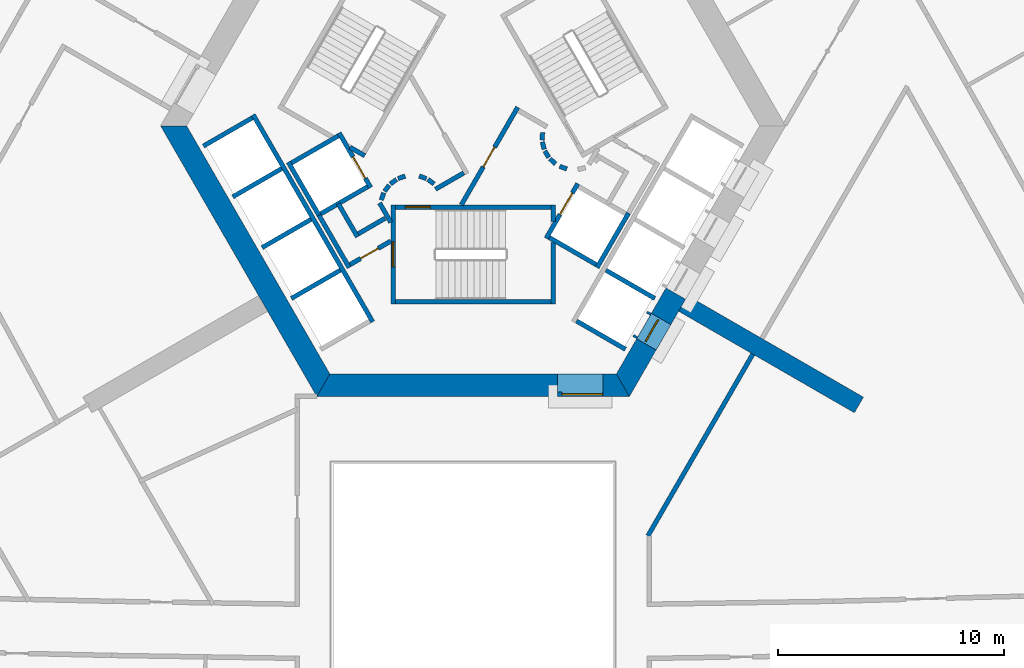
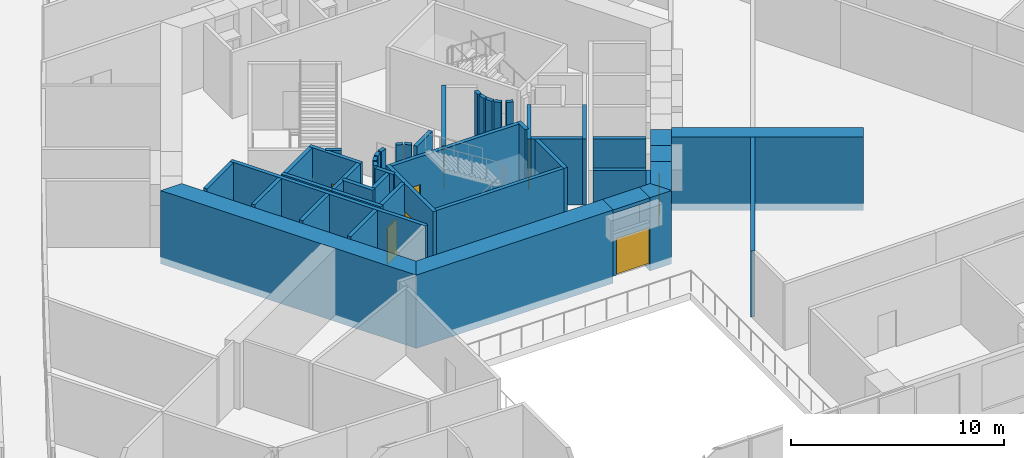
# One storey, part 6 of 16: 49 walls, 8 doors, 8 openings.
"""IFC4 building model written with IfcOpenShell, lengths in metres."""

from ifc_helpers import new_model, si_unit, direction, frame, frame_2d, origin, place, context, subcontext, project, spatial, polyline, rectangle, outline, extrude, material, layer, layer_set, type_object, element, fill, save


model = new_model("IFC4")

# Units and contexts
model_context = context("Model", 3, precision=1e-05, world=origin(), true_north=direction((0.0, 1.0)))
body_context = subcontext(model_context, "Body", "Model", "MODEL_VIEW")
ifc_project = project(units=[si_unit("LENGTHUNIT", "METRE"), si_unit("AREAUNIT", "SQUARE_METRE"), si_unit("VOLUMEUNIT", "CUBIC_METRE"), si_unit("PLANEANGLEUNIT", "RADIAN"), si_unit("MASSUNIT", "GRAM", prefix="KILO")], contexts=[model_context])

# Site, building, storey
site_placement = place(None, origin())
site = spatial("IfcSite", under=ifc_project, at=site_placement, CompositionType="ELEMENT")
building_placement = place(site_placement, origin())
building = spatial("IfcBuilding", under=site, at=building_placement, Name="Entoto Arch Interchange Tower", CompositionType="ELEMENT")
storey_placement = place(building_placement, frame((0.0, 0.0, 47.60009765625)))
storey = spatial("IfcBuildingStorey", under=building, at=storey_placement, Name="L09", CompositionType="ELEMENT", Elevation=47.60009765625)

# Wall
ifc_material_1 = material(Name="Concrete C60/75", Category="concrete")
ifc_layer_1 = layer(ifc_material_1, 0.800048828125)
ifc_layer_set_1 = layer_set([ifc_layer_1], Name="Concrete C60/75")
wall_type_1 = type_object("IfcWallType", Name="Buttress wall 800 C60/75", PredefinedType="SHEAR", material=ifc_layer_set_1)
wall_1_placement = place(storey_placement, frame((9.31005859375, -5.375, -0.400146484375), z_axis=(0.0, 0.0, 1.0), x_axis=(0.866017533419, -0.500013631625, 0.0)))
element("IfcWall", 1, at=wall_1_placement, inside=storey, type_object=wall_type_1, Name="Buttress wall SE L09", PredefinedType="SHEAR", context=body_context, shape_type="SweptSolid", body=[
    extrude(rectangle(XDim=8.999755859375, YDim=0.800048828125, at=frame_2d((4.5, 0.0))), origin(), (0.0, 0.0, 1.0), 4.199951171875),
])

# Wall, opening, door
ifc_material_2 = material(Name="Reinforced concrete C40/50", Category="concrete")
ifc_layer_2 = layer(ifc_material_2, 0.199951171875)
ifc_layer_set_2 = layer_set([ifc_layer_2], Name="Reinforced concrete C40/50")
wall_type_2 = type_object("IfcWallType", Name="CORE GAP INFILL WALL", PredefinedType="PARTITIONING", material=ifc_layer_set_2)
wall_2_placement = place(storey_placement, frame((3.75, -9.39990234375, 0.0), z_axis=(0.0, 0.0, 1.0), x_axis=(1.0, 0.0, 0.0)))
wall_2 = element("IfcWall", 2, at=wall_2_placement, inside=storey, type_object=wall_type_2, Name="wall:L09:gap1", PredefinedType="PARTITIONING", context=body_context, shape_type="SweptSolid", body=[
    extrude(rectangle(XDim=2.0, YDim=0.199951171875, at=frame_2d((1.0, 0.0))), origin(), (0.0, 0.0, 1.0), 2.39990234375),
])
opening_1_placement = place(wall_2_placement, frame((0.18994140625, 0.0, 0.0)))
opening_1 = element("IfcOpeningElement", 3, at=opening_1_placement, cuts=wall_2, Name="Opening L09-D91", PredefinedType="OPENING", context=body_context, shape_type="SweptSolid", body=[
    extrude(rectangle(XDim=1.800048828125, YDim=2.10009765625, at=frame_2d((0.89990234375, 1.050048828125))), frame((0.0, 0.10986328125, 0.0), z_axis=(0.0, -1.0, 0.0), x_axis=(1.0, 0.0, 0.0)), (0.0, 0.0, 1.0), 0.219970703125),
])
ifc_material_3 = material(Name="Fire-rated Steel S235 door and frame", Category="steel")
door_type_1 = type_object("IfcDoorType", Name="DOOR FD-18 1800x2100", OperationType="DOUBLE_DOOR_SINGLE_SWING", PredefinedType="DOOR", material=ifc_material_3)
door_1_placement = place(opening_1_placement, origin())
door_1 = element("IfcDoor", 4, at=door_1_placement, inside=storey, type_object=door_type_1, Name="door:L09:gap1", OperationType="DOUBLE_DOOR_SINGLE_SWING", OverallHeight=2.10009765625, OverallWidth=1.800048828125, PredefinedType="DOOR", context=body_context, shape_type="SweptSolid", body=[
    extrude(rectangle(XDim=1.800048828125, YDim=2.10009765625, at=frame_2d((0.89990234375, 1.050048828125))), frame((0.0, 0.02490234375, 0.0), z_axis=(0.0, -1.0, 0.0), x_axis=(1.0, 0.0, 0.0)), (0.0, 0.0, 1.0), 0.050048828125),
])
fill(opening_1, door_1)

# Walls
ifc_layer_3 = layer(ifc_material_1, 1.0)
ifc_layer_set_3 = layer_set([ifc_layer_3], Name="Concrete C60/75")
wall_type_3 = type_object("IfcWallType", Name="Core wall 1000 C60/75", PredefinedType="SHEAR", material=ifc_layer_set_3)
wall_3_placement = place(storey_placement, frame((0.0, 0.0, -0.400146484375)))
element("IfcWall", 5, at=wall_3_placement, inside=storey, type_object=wall_type_3, Name="Core wall SW L09", PredefinedType="SHEAR", context=body_context, shape_type="SweptSolid", body=[
    extrude(outline(polyline([(-13.85595703125, 2.5), (-6.927978515625, -9.5), (-6.35107421875, -8.5), (-12.701904296875, 2.5), (-13.85595703125, 2.5)])), origin(), (0.0, 0.0, 1.0), 4.199951171875),
])
wall_4_placement = place(storey_placement, frame((0.0, 0.0, -0.400146484375)))
element("IfcWall", 6, at=wall_4_placement, inside=storey, type_object=wall_type_3, Name="Core wall S L09", PredefinedType="SHEAR", context=body_context, shape_type="SweptSolid", body=[
    extrude(outline(polyline([(3.75, -9.5), (3.75, -8.5), (-6.35107421875, -8.5), (-6.927978515625, -9.5), (3.75, -9.5)])), origin(), (0.0, 0.0, 1.0), 4.199951171875),
])
wall_5_placement = place(storey_placement, frame((0.0, 0.0, -0.400146484375)))
element("IfcWall", 7, at=wall_5_placement, inside=storey, type_object=wall_type_3, Name="Core wall S L09", PredefinedType="SHEAR", context=body_context, shape_type="SweptSolid", body=[
    extrude(outline(polyline([(5.75, -8.5), (5.75, -9.5), (6.927978515625, -9.5), (6.35107421875, -8.5), (5.75, -8.5)])), origin(), (0.0, 0.0, 1.0), 4.199951171875),
])
wall_6_placement = place(storey_placement, frame((0.0, 0.0, 3.599853515625)))
element("IfcWall", 8, at=wall_6_placement, inside=storey, type_object=wall_type_3, Name="Core wall lintel S L09", PredefinedType="SHEAR", context=body_context, shape_type="SweptSolid", body=[
    extrude(outline(polyline([(5.75, -9.5), (5.75, -8.5), (3.75, -8.5), (3.75, -9.5), (5.75, -9.5)])), origin(), (0.0, 0.0, 1.0), 0.199951171875),
])
wall_7_placement = place(storey_placement, frame((0.0, 0.0, -0.400146484375)))
element("IfcWall", 9, at=wall_7_placement, inside=storey, type_object=wall_type_3, Name="Core wall SE L09", PredefinedType="SHEAR", context=body_context, shape_type="SweptSolid", body=[
    extrude(outline(polyline([(8.116943359375, -7.43994140625), (7.251953125, -6.93994140625), (6.35107421875, -8.5), (6.927978515625, -9.5), (8.116943359375, -7.43994140625)])), origin(), (0.0, 0.0, 1.0), 4.199951171875),
])
wall_8_placement = place(storey_placement, frame((0.0, 0.0, -0.400146484375)))
element("IfcWall", 10, at=wall_8_placement, inside=storey, type_object=wall_type_3, Name="Core wall SE L09", PredefinedType="SHEAR", context=body_context, shape_type="SweptSolid", body=[
    extrude(outline(polyline([(9.4169921875, -5.18896484375), (8.551025390625, -4.68896484375), (7.902099609375, -5.81396484375), (8.76708984375, -6.31396484375), (9.4169921875, -5.18896484375)])), origin(), (0.0, 0.0, 1.0), 4.199951171875),
])
wall_9_placement = place(storey_placement, frame((0.0, 0.0, 3.599853515625)))
element("IfcWall", 11, at=wall_9_placement, inside=storey, type_object=wall_type_3, Name="Core wall lintel SE L09", PredefinedType="SHEAR", context=body_context, shape_type="SweptSolid", body=[
    extrude(outline(polyline([(8.76708984375, -6.31396484375), (7.902099609375, -5.81396484375), (7.251953125, -6.93994140625), (8.116943359375, -7.43994140625), (8.76708984375, -6.31396484375)])), origin(), (0.0, 0.0, 1.0), 0.199951171875),
])

# Wall, opening, door
ifc_material_4 = material(Name="Concrete C40/50", Category="concrete")
ifc_layer_4 = layer(ifc_material_4, 1.199951171875)
ifc_layer_set_4 = layer_set([ifc_layer_4], Name="Concrete C40/50")
wall_type_4 = type_object("IfcWallType", Name="LIFT LANDING INFILL WALL", PredefinedType="STANDARD", material=ifc_layer_set_4)
wall_10_placement = place(storey_placement, frame((7.597900390625, -7.139892578125, 0.0), z_axis=(0.0, 0.0, 1.0), x_axis=(0.500362116554, 0.865816234728, 0.0)))
wall_10 = element("IfcWall", 12, at=wall_10_placement, inside=storey, type_object=wall_type_4, Name="Lift landing infill wall LR5 L09", PredefinedType="STANDARD", context=body_context, shape_type="SweptSolid", body=[
    extrude(rectangle(XDim=1.29931640625, YDim=1.199951171875, at=frame_2d((0.649658203125, 0.0))), origin(), (0.0, 0.0, 1.0), 2.39990234375),
])
opening_2_placement = place(wall_10_placement, frame((0.10009765625, 0.0, 0.0)))
opening_2 = element("IfcOpeningElement", 13, at=opening_2_placement, cuts=wall_10, Name="Opening LD-LR5-L09", PredefinedType="OPENING", context=body_context, shape_type="SweptSolid", body=[
    extrude(rectangle(XDim=1.10009765625, YDim=2.300048828125, at=frame_2d((0.550048828125, 1.14990234375))), frame((0.0, 0.60986328125, 0.0), z_axis=(0.0, -1.0, 0.0), x_axis=(1.0, 0.0, 0.0)), (0.0, 0.0, 1.0), 1.219970703125),
])
ifc_material_5 = material(Name="Stainless steel 1.4301 panels", Category="steel")
door_type_2 = type_object("IfcDoorType", Name="LIFT LANDING DOOR LD2 1100x2300", OperationType="SLIDING_TO_LEFT", PredefinedType="DOOR", material=ifc_material_5)
door_2_placement = place(opening_2_placement, origin())
door_2 = element("IfcDoor", 14, at=door_2_placement, inside=storey, type_object=door_type_2, Name="Lift landing door LR5 L09", OperationType="SLIDING_TO_LEFT", OverallHeight=2.300048828125, OverallWidth=1.10009765625, PredefinedType="DOOR", context=body_context, shape_type="SweptSolid", body=[
    extrude(rectangle(XDim=1.10009765625, YDim=2.300048828125, at=frame_2d((0.550048828125, 1.14990234375))), frame((0.0, 0.02490234375, 0.0), z_axis=(0.0, -1.0, 0.0), x_axis=(1.0, 0.0, 0.0)), (0.0, 0.0, 1.0), 0.050048828125),
])
fill(opening_2, door_2)

ifc_layer_5 = layer(ifc_material_4, 0.199951171875)
ifc_layer_set_5 = layer_set([ifc_layer_5], Name="Concrete C40/50")
wall_type_5 = type_object("IfcWallType", Name="LIFT SHAFT WALL 200", PredefinedType="STANDARD", material=ifc_layer_set_5)
wall_11_placement = place(storey_placement, frame((-5.93994140625, 2.18798828125, 0.0), z_axis=(0.0, 0.0, 1.0), x_axis=(0.49994636267, -0.866056369097, 0.0)))
wall_11 = element("IfcWall", 15, at=wall_11_placement, inside=storey, type_object=wall_type_5, Name="Shaft wall SW1 front", PredefinedType="STANDARD", context=body_context, shape_type="SweptSolid", body=[
    extrude(rectangle(XDim=2.800048828125, YDim=0.199951171875, at=frame_2d((1.39990234375, 0.0))), origin(), (0.0, 0.0, 1.0), 3.7998046875),
])
opening_3_placement = place(wall_11_placement, frame((1.22509765625, 0.0, 0.0)))
opening_3 = element("IfcOpeningElement", 16, at=opening_3_placement, cuts=wall_11, Name="Opening LD-FF2-L09", PredefinedType="OPENING", context=body_context, shape_type="SweptSolid", body=[
    extrude(rectangle(XDim=1.10009765625, YDim=2.10009765625, at=frame_2d((0.550048828125, 1.050048828125))), frame((0.0, 0.10986328125, 0.0), z_axis=(0.0, -1.0, 0.0), x_axis=(1.0, 0.0, 0.0)), (0.0, 0.0, 1.0), 0.219970703125),
])
door_type_3 = type_object("IfcDoorType", Name="LIFT LANDING DOOR LD1 1100x2100", OperationType="SLIDING_TO_LEFT", PredefinedType="DOOR", material=ifc_material_5)
door_3_placement = place(opening_3_placement, origin())
door_3 = element("IfcDoor", 17, at=door_3_placement, inside=storey, type_object=door_type_3, Name="Lift landing door FF2 L09", OperationType="SLIDING_TO_LEFT", OverallHeight=2.10009765625, OverallWidth=1.10009765625, PredefinedType="DOOR", context=body_context, shape_type="SweptSolid", body=[
    extrude(rectangle(XDim=1.10009765625, YDim=2.10009765625, at=frame_2d((0.550048828125, 1.050048828125))), frame((0.0, 0.02490234375, 0.0), z_axis=(0.0, -1.0, 0.0), x_axis=(1.0, 0.0, 0.0)), (0.0, 0.0, 1.0), 0.050048828125),
])
fill(opening_3, door_3)

# Walls
wall_12_placement = place(storey_placement, frame((-8.19189453125, 0.887939453125, 0.0), z_axis=(0.0, 0.0, 1.0), x_axis=(0.49994636267, -0.866056369097, 0.0)))
element("IfcWall", 18, at=wall_12_placement, inside=storey, type_object=wall_type_5, Name="Shaft wall SW1 back", PredefinedType="STANDARD", context=body_context, shape_type="SweptSolid", body=[
    extrude(rectangle(XDim=2.800048828125, YDim=0.199951171875, at=frame_2d((1.39990234375, 0.0))), origin(), (0.0, 0.0, 1.0), 3.7998046875),
])
for number, where, z_axis, x_axis, name in (
    (19, (-5.97705078125, 2.052001953125, 0.0), (0.0, 0.0, 1.0), (-0.865973769406, -0.500089422704, 0.0), "Shaft wall SW1 cross 1"),
    (20, (-4.677001953125, -0.199951171875, 0.0), (0.0, 0.0, 1.0), (-0.865973769406, -0.500089422704, 0.0), "Shaft wall SW1 cross 2"),
):
    element("IfcWall", number, at=place(storey_placement, frame(where, z_axis=z_axis, x_axis=x_axis)), inside=storey, type_object=wall_type_5, Name=name, PredefinedType="STANDARD", context=body_context, shape_type="SweptSolid", body=[
        extrude(rectangle(XDim=2.3994140625, YDim=0.199951171875, at=frame_2d((1.19970703125, 0.0))), origin(), (0.0, 0.0, 1.0), 3.7998046875),
    ])
wall_13_placement = place(storey_placement, frame((-9.7509765625, 2.989990234375, 0.0), z_axis=(0.0, 0.0, 1.0), x_axis=(0.50000090737, -0.866024879913, 0.0)))
element("IfcWall", 21, at=wall_13_placement, inside=storey, type_object=wall_type_5, Name="Shaft wall SW3 front", PredefinedType="STANDARD", context=body_context, shape_type="SweptSolid", body=[
    extrude(rectangle(XDim=10.60009765625, YDim=0.199951171875, at=frame_2d((5.300048828125, 0.0))), origin(), (0.0, 0.0, 1.0), 3.7998046875),
])
wall_14_placement = place(storey_placement, frame((-9.7880859375, 2.85302734375, 0.0), z_axis=(0.0, 0.0, 1.0), x_axis=(-0.865998541277, -0.500046524342, 0.0)))
element("IfcWall", 22, at=wall_14_placement, inside=storey, type_object=wall_type_5, Name="Shaft wall SW3 cross 1", PredefinedType="STANDARD", context=body_context, shape_type="SweptSolid", body=[
    extrude(rectangle(XDim=2.499755859375, YDim=0.199951171875, at=frame_2d((1.25, 0.0))), origin(), (0.0, 0.0, 1.0), 3.7998046875),
])
for number, where, z_axis, x_axis, name in (
    (23, (-8.488037109375, 0.60205078125, 0.0), (0.0, 0.0, 1.0), (-0.866022959057, -0.500004234368, 0.0), "Shaft wall SW3 cross 2"),
    (24, (-7.18798828125, -1.64990234375, 0.0), (0.0, 0.0, 1.0), (-0.866022959057, -0.500004234368, 0.0), "Shaft wall SW3 cross 3"),
    (25, (-5.887939453125, -3.902099609375, 0.0), (0.0, 0.0, 1.0), (-0.866022959057, -0.500004234368, 0.0), "Shaft wall SW3 cross 4"),
):
    element("IfcWall", number, at=place(storey_placement, frame(where, z_axis=z_axis, x_axis=x_axis)), inside=storey, type_object=wall_type_5, Name=name, PredefinedType="STANDARD", context=body_context, shape_type="SweptSolid", body=[
        extrude(rectangle(XDim=2.5, YDim=0.199951171875, at=frame_2d((1.25, 0.0))), origin(), (0.0, 0.0, 1.0), 3.7998046875),
    ])

# Wall, opening, door
wall_15_placement = place(storey_placement, frame((3.239990234375, -2.488037109375, 0.0), z_axis=(0.0, 0.0, 1.0), x_axis=(0.49994636267, 0.866056369097, 0.0)))
wall_15 = element("IfcWall", 26, at=wall_15_placement, inside=storey, type_object=wall_type_5, Name="Shaft wall SE1 front", PredefinedType="STANDARD", context=body_context, shape_type="SweptSolid", body=[
    extrude(rectangle(XDim=2.800048828125, YDim=0.199951171875, at=frame_2d((1.39990234375, 0.0))), origin(), (0.0, 0.0, 1.0), 3.7998046875),
])
opening_4_placement = place(wall_15_placement, frame((1.22509765625, 0.0, 0.0)))
opening_4 = element("IfcOpeningElement", 27, at=opening_4_placement, cuts=wall_15, Name="Opening LD-FF1-L09", PredefinedType="OPENING", context=body_context, shape_type="SweptSolid", body=[
    extrude(rectangle(XDim=1.10009765625, YDim=2.10009765625, at=frame_2d((0.550048828125, 1.050048828125))), frame((0.0, 0.10986328125, 0.0), z_axis=(0.0, -1.0, 0.0), x_axis=(1.0, 0.0, 0.0)), (0.0, 0.0, 1.0), 0.219970703125),
])
door_4_placement = place(opening_4_placement, origin())
door_4 = element("IfcDoor", 28, at=door_4_placement, inside=storey, type_object=door_type_3, Name="Lift landing door FF1 L09", OperationType="SLIDING_TO_LEFT", OverallHeight=2.10009765625, OverallWidth=1.10009765625, PredefinedType="DOOR", context=body_context, shape_type="SweptSolid", body=[
    extrude(rectangle(XDim=1.10009765625, YDim=2.10009765625, at=frame_2d((0.550048828125, 1.050048828125))), frame((0.0, 0.02490234375, 0.0), z_axis=(0.0, -1.0, 0.0), x_axis=(1.0, 0.0, 0.0)), (0.0, 0.0, 1.0), 0.050048828125),
])
fill(opening_4, door_4)

# Walls
wall_16_placement = place(storey_placement, frame((5.491943359375, -3.7880859375, 0.0), z_axis=(0.0, 0.0, 1.0), x_axis=(0.500011755427, 0.866018616679, 0.0)))
element("IfcWall", 29, at=wall_16_placement, inside=storey, type_object=wall_type_5, Name="Shaft wall SE1 back", PredefinedType="STANDARD", context=body_context, shape_type="SweptSolid", body=[
    extrude(rectangle(XDim=2.80029296875, YDim=0.199951171875, at=frame_2d((1.400146484375, 0.0))), origin(), (0.0, 0.0, 1.0), 3.7998046875),
])
wall_17_placement = place(storey_placement, frame((3.376953125, -2.451904296875, 0.0), z_axis=(0.0, 0.0, 1.0), x_axis=(0.865955154139, -0.50012165622, 0.0)))
element("IfcWall", 30, at=wall_17_placement, inside=storey, type_object=wall_type_5, Name="Shaft wall SE1 cross 1", PredefinedType="STANDARD", context=body_context, shape_type="SweptSolid", body=[
    extrude(rectangle(XDim=2.39990234375, YDim=0.199951171875, at=frame_2d((1.199951171875, 0.0))), origin(), (0.0, 0.0, 1.0), 3.7998046875),
])
for number, where, z_axis, x_axis, name in (
    (31, (4.587890625, -6.153076171875, 0.0), (0.0, 0.0, 1.0), (0.866022959057, -0.500004234368, 0.0), "Shaft wall SE3 cross 1"),
    (32, (5.887939453125, -3.902099609375, 0.0), (0.0, 0.0, 1.0), (0.866022959057, -0.500004234368, 0.0), "Shaft wall SE3 cross 2"),
):
    element("IfcWall", number, at=place(storey_placement, frame(where, z_axis=z_axis, x_axis=x_axis)), inside=storey, type_object=wall_type_5, Name=name, PredefinedType="STANDARD", context=body_context, shape_type="SweptSolid", body=[
        extrude(rectangle(XDim=2.5, YDim=0.199951171875, at=frame_2d((1.25, 0.0))), origin(), (0.0, 0.0, 1.0), 3.7998046875),
    ])
ifc_material_6 = material(Name="Gypsum board partition on steel studs", Category="steel")
ifc_layer_6 = layer(ifc_material_6, 0.199951171875)
ifc_layer_set_6 = layer_set([ifc_layer_6], Name="Gypsum board partition on steel studs")
wall_type_6 = type_object("IfcWallType", Name="PARTITION 200", PredefinedType="PARTITIONING", material=ifc_layer_set_6)
wall_18_placement = place(storey_placement, frame((-3.89990234375, -1.59912109375, 0.0), z_axis=(0.0, 0.0, 1.0), x_axis=(-0.865969445389, -0.500096910261, 0.0)))
element("IfcWall", 33, at=wall_18_placement, inside=storey, type_object=wall_type_6, Name="wall:L09:p085", PredefinedType="PARTITIONING", context=body_context, shape_type="SweptSolid", body=[
    extrude(rectangle(XDim=1.373291015625, YDim=0.199951171875, at=frame_2d((0.6865234375, 0.0))), origin(), (0.0, 0.0, 1.0), 3.7998046875),
])
wall_19_placement = place(storey_placement, frame((-5.1259765625, -2.422119140625, 0.0), z_axis=(0.0, 0.0, 1.0), x_axis=(-0.500062241894, 0.865989465428, 0.0)))
element("IfcWall", 34, at=wall_19_placement, inside=storey, type_object=wall_type_6, Name="wall:L09:p086", PredefinedType="PARTITIONING", context=body_context, shape_type="SweptSolid", body=[
    extrude(rectangle(XDim=1.699951171875, YDim=0.199951171875, at=frame_2d((0.85009765625, 0.0))), origin(), (0.0, 0.0, 1.0), 3.7998046875),
])

# Wall, opening, door
wall_20_placement = place(storey_placement, frame((-3.64990234375, -2.610107421875, 0.0), z_axis=(0.0, 0.0, 1.0), x_axis=(-0.866072462134, -0.499918483688, 0.0)))
wall_20 = element("IfcWall", 35, at=wall_20_placement, inside=storey, type_object=wall_type_6, Name="wall:L09:p087", PredefinedType="PARTITIONING", context=body_context, shape_type="SweptSolid", body=[
    extrude(rectangle(XDim=2.084228515625, YDim=0.199951171875, at=frame_2d((1.0419921875, 0.0))), origin(), (0.0, 0.0, 1.0), 3.7998046875),
])
opening_5_placement = place(wall_20_placement, frame((0.64208984375, 0.0, 0.0)))
opening_5 = element("IfcOpeningElement", 36, at=opening_5_placement, cuts=wall_20, Name="Opening L09-D34", PredefinedType="OPENING", context=body_context, shape_type="SweptSolid", body=[
    extrude(rectangle(XDim=0.89990234375, YDim=2.10009765625, at=frame_2d((0.449951171875, 1.050048828125))), frame((0.0, 0.10986328125, 0.0), z_axis=(0.0, -1.0, 0.0), x_axis=(1.0, 0.0, 0.0)), (0.0, 0.0, 1.0), 0.219970703125),
])
ifc_material_7 = material(Name="Timber door leaf in Steel S235 frame", Category="steel")
door_type_4 = type_object("IfcDoorType", Name="DOOR DS-09 900x2100", OperationType="SINGLE_SWING_LEFT", PredefinedType="DOOR", material=ifc_material_7)
door_5_placement = place(opening_5_placement, origin())
door_5 = element("IfcDoor", 37, at=door_5_placement, inside=storey, type_object=door_type_4, Name="door:L09:34", OperationType="SINGLE_SWING_LEFT", OverallHeight=2.10009765625, OverallWidth=0.89990234375, PredefinedType="DOOR", context=body_context, shape_type="SweptSolid", body=[
    extrude(rectangle(XDim=0.89990234375, YDim=2.10009765625, at=frame_2d((0.449951171875, 1.050048828125))), frame((0.0, 0.02490234375, 0.0), z_axis=(0.0, -1.0, 0.0), x_axis=(1.0, 0.0, 0.0)), (0.0, 0.0, 1.0), 0.050048828125),
])
fill(opening_5, door_5)

# Walls
wall_21_placement = place(storey_placement, frame((-5.491943359375, -3.7880859375, 0.0), z_axis=(0.0, 0.0, 1.0), x_axis=(-0.500008949224, 0.866020236886, 0.0)))
element("IfcWall", 38, at=wall_21_placement, inside=storey, type_object=wall_type_6, Name="wall:L09:p088", PredefinedType="PARTITIONING", context=body_context, shape_type="SweptSolid", body=[
    extrude(rectangle(XDim=2.68017578125, YDim=0.199951171875, at=frame_2d((1.340087890625, 0.0))), origin(), (0.0, 0.0, 1.0), 3.7998046875),
])
wall_22_placement = place(storey_placement, frame((-4.14501953125, -0.919921875, 0.0), z_axis=(0.0, 0.0, 1.0), x_axis=(0.499743786207, -0.866173278362, 0.0)))
element("IfcWall", 39, at=wall_22_placement, inside=storey, type_object=wall_type_6, Name="wall:L09:p089", PredefinedType="PARTITIONING", context=body_context, shape_type="SweptSolid", body=[
    extrude(rectangle(XDim=0.99072265625, YDim=0.199951171875, at=frame_2d((0.495361328125, 0.0))), origin(), (0.0, 0.0, 1.0), 3.7998046875),
])

# Wall, opening, door
wall_23_placement = place(storey_placement, frame((-0.52001953125, -1.0, 0.0), z_axis=(0.0, 0.0, 1.0), x_axis=(0.50011622646, 0.865958290007, 0.0)))
wall_23 = element("IfcWall", 40, at=wall_23_placement, inside=storey, type_object=wall_type_6, Name="wall:L09:p094", PredefinedType="PARTITIONING", context=body_context, shape_type="SweptSolid", body=[
    extrude(rectangle(XDim=4.990966796875, YDim=0.199951171875, at=frame_2d((2.49560546875, 0.0))), origin(), (0.0, 0.0, 1.0), 3.7998046875),
])
opening_6_placement = place(wall_23_placement, frame((1.945068359375, 0.0, 0.0)))
opening_6 = element("IfcOpeningElement", 41, at=opening_6_placement, cuts=wall_23, Name="Opening L09-D31", PredefinedType="OPENING", context=body_context, shape_type="SweptSolid", body=[
    extrude(rectangle(XDim=1.0, YDim=2.10009765625, at=frame_2d((0.5, 1.050048828125))), frame((0.0, 0.10986328125, 0.0), z_axis=(0.0, -1.0, 0.0), x_axis=(1.0, 0.0, 0.0)), (0.0, 0.0, 1.0), 0.219970703125),
])
door_type_5 = type_object("IfcDoorType", Name="DOOR FD-10 1000x2100", OperationType="SINGLE_SWING_LEFT", PredefinedType="DOOR", material=ifc_material_3)
door_6_placement = place(opening_6_placement, origin())
door_6 = element("IfcDoor", 42, at=door_6_placement, inside=storey, type_object=door_type_5, Name="door:L09:31", OperationType="SINGLE_SWING_LEFT", OverallHeight=2.10009765625, OverallWidth=1.0, PredefinedType="DOOR", context=body_context, shape_type="SweptSolid", body=[
    extrude(rectangle(XDim=1.0, YDim=2.10009765625, at=frame_2d((0.5, 1.050048828125))), frame((0.0, 0.02490234375, 0.0), z_axis=(0.0, -1.0, 0.0), x_axis=(1.0, 0.0, 0.0)), (0.0, 0.0, 1.0), 0.050048828125),
])
fill(opening_6, door_6)

# Walls
wall_24_placement = place(storey_placement, frame((3.0791015625, 2.198974609375, 0.0), z_axis=(0.0, 0.0, 1.0), x_axis=(-0.047771483479, -0.998858290933, 0.0)))
element("IfcWall", 43, at=wall_24_placement, inside=storey, type_object=wall_type_6, Name="wall:L09:p096", PredefinedType="PARTITIONING", context=body_context, shape_type="SweptSolid", body=[
    extrude(rectangle(XDim=0.33740234375, YDim=0.199951171875, at=frame_2d((0.168701171875, 0.0))), origin(), (0.0, 0.0, 1.0), 3.7998046875),
])
wall_25_placement = place(storey_placement, frame((3.070068359375, 1.785888671875, 0.0), z_axis=(0.0, 0.0, 1.0), x_axis=(0.242705583207, -0.970099994784, 0.0)))
element("IfcWall", 44, at=wall_25_placement, inside=storey, type_object=wall_type_6, Name="wall:L09:p097", PredefinedType="PARTITIONING", context=body_context, shape_type="SweptSolid", body=[
    extrude(rectangle(XDim=0.337890625, YDim=0.199951171875, at=frame_2d((0.1689453125, 0.0))), origin(), (0.0, 0.0, 1.0), 3.7998046875),
])
for number, where, z_axis, x_axis, name in (
    (45, (3.181884765625, 1.387939453125, 0.0), (0.0, 0.0, 1.0), (0.512474702713, -0.85870232274, 0.0), "wall:L09:p098"),
    (46, (3.404052734375, 1.0390625, 0.0), (0.0, 0.0, 1.0), (0.740267097712, -0.672312891476, 0.0), "wall:L09:p099"),
):
    element("IfcWall", number, at=place(storey_placement, frame(where, z_axis=z_axis, x_axis=x_axis)), inside=storey, type_object=wall_type_6, Name=name, PredefinedType="PARTITIONING", context=body_context, shape_type="SweptSolid", body=[
        extrude(rectangle(XDim=0.337646484375, YDim=0.199951171875, at=frame_2d((0.1689453125, 0.0))), origin(), (0.0, 0.0, 1.0), 3.7998046875),
    ])
wall_26_placement = place(storey_placement, frame((3.837890625, 0.701904296875, 0.0), z_axis=(0.0, 0.0, 1.0), x_axis=(0.941035081519, -0.338308993895, 0.0)))
element("IfcWall", 47, at=wall_26_placement, inside=storey, type_object=wall_type_6, Name="wall:L09:p100", PredefinedType="PARTITIONING", context=body_context, shape_type="SweptSolid", body=[
    extrude(rectangle(XDim=0.3369140625, YDim=0.199951171875, at=frame_2d((0.16845703125, 0.0))), origin(), (0.0, 0.0, 1.0), 3.7998046875),
])
wall_27_placement = place(storey_placement, frame((-0.412109375, 0.4140625, 0.0), z_axis=(0.0, 0.0, 1.0), x_axis=(-0.866017369001, -0.500013916395, 0.0)))
element("IfcWall", 48, at=wall_27_placement, inside=storey, type_object=wall_type_6, Name="wall:L09:p103", PredefinedType="PARTITIONING", context=body_context, shape_type="SweptSolid", body=[
    extrude(rectangle(XDim=1.4501953125, YDim=0.199951171875, at=frame_2d((0.72509765625, 0.0))), origin(), (0.0, 0.0, 1.0), 3.7998046875),
])
wall_28_placement = place(storey_placement, frame((-1.73095703125, -0.076904296875, 0.0), z_axis=(0.0, 0.0, 1.0), x_axis=(-0.804311165252, 0.594208338422, 0.0)))
element("IfcWall", 49, at=wall_28_placement, inside=storey, type_object=wall_type_6, Name="wall:L09:p104", PredefinedType="PARTITIONING", context=body_context, shape_type="SweptSolid", body=[
    extrude(rectangle(XDim=0.338134765625, YDim=0.199951171875, at=frame_2d((0.1689453125, 0.0))), origin(), (0.0, 0.0, 1.0), 3.7998046875),
])
wall_29_placement = place(storey_placement, frame((-2.070068359375, 0.159912109375, 0.0), z_axis=(0.0, 0.0, 1.0), x_axis=(-0.942199461132, 0.335052496547, 0.0)))
element("IfcWall", 50, at=wall_29_placement, inside=storey, type_object=wall_type_6, Name="wall:L09:p105", PredefinedType="PARTITIONING", context=body_context, shape_type="SweptSolid", body=[
    extrude(rectangle(XDim=0.33740234375, YDim=0.199951171875, at=frame_2d((0.168701171875, 0.0))), origin(), (0.0, 0.0, 1.0), 3.7998046875),
])
wall_30_placement = place(storey_placement, frame((-3.011962890625, 0.27294921875, 0.0), z_axis=(0.0, 0.0, 1.0), x_axis=(-0.942280615813, -0.334824194261, 0.0)))
element("IfcWall", 51, at=wall_30_placement, inside=storey, type_object=wall_type_6, Name="wall:L09:p106", PredefinedType="PARTITIONING", context=body_context, shape_type="SweptSolid", body=[
    extrude(rectangle(XDim=0.337646484375, YDim=0.199951171875, at=frame_2d((0.1689453125, 0.0))), origin(), (0.0, 0.0, 1.0), 3.7998046875),
])
wall_31_placement = place(storey_placement, frame((-3.39697265625, 0.1240234375, 0.0), z_axis=(0.0, 0.0, 1.0), x_axis=(-0.804311165252, -0.594208338422, 0.0)))
element("IfcWall", 52, at=wall_31_placement, inside=storey, type_object=wall_type_6, Name="wall:L09:p107", PredefinedType="PARTITIONING", context=body_context, shape_type="SweptSolid", body=[
    extrude(rectangle(XDim=0.338134765625, YDim=0.199951171875, at=frame_2d((0.1689453125, 0.0))), origin(), (0.0, 0.0, 1.0), 3.7998046875),
])
wall_32_placement = place(storey_placement, frame((-3.722900390625, -0.131103515625, 0.0), z_axis=(0.0, 0.0, 1.0), x_axis=(-0.594675113454, -0.803966112121, 0.0)))
element("IfcWall", 53, at=wall_32_placement, inside=storey, type_object=wall_type_6, Name="wall:L09:p108", PredefinedType="PARTITIONING", context=body_context, shape_type="SweptSolid", body=[
    extrude(rectangle(XDim=0.33837890625, YDim=0.199951171875, at=frame_2d((0.169189453125, 0.0))), origin(), (0.0, 0.0, 1.0), 3.7998046875),
])
wall_33_placement = place(storey_placement, frame((-3.9599609375, -0.469970703125, 0.0), z_axis=(0.0, 0.0, 1.0), x_axis=(-0.334824194261, -0.942280615813, 0.0)))
element("IfcWall", 54, at=wall_33_placement, inside=storey, type_object=wall_type_6, Name="wall:L09:p109", PredefinedType="PARTITIONING", context=body_context, shape_type="SweptSolid", body=[
    extrude(rectangle(XDim=0.337646484375, YDim=0.199951171875, at=frame_2d((0.1689453125, 0.0))), origin(), (0.0, 0.0, 1.0), 3.7998046875),
])
wall_34_placement = place(storey_placement, frame((12.40087890625, -7.62109375, 0.0), z_axis=(0.0, 0.0, 1.0), x_axis=(-0.499983724212, -0.866034800411, 0.0)))
element("IfcWall", 55, at=wall_34_placement, inside=storey, type_object=wall_type_6, Name="wall:L09:p118", PredefinedType="PARTITIONING", context=body_context, shape_type="SweptSolid", body=[
    extrude(rectangle(XDim=9.302001953125, YDim=0.199951171875, at=frame_2d((4.65087890625, 0.0))), origin(), (0.0, 0.0, 1.0), 3.7998046875),
])

# Wall, opening, door
ifc_layer_7 = layer(ifc_material_4, 0.199951171875)
ifc_layer_set_7 = layer_set([ifc_layer_7], Name="Concrete C40/50")
wall_type_7 = type_object("IfcWallType", Name="STAIR ENCLOSURE WALL 200", PredefinedType="STANDARD", material=ifc_layer_set_7)
wall_35_placement = place(storey_placement, frame((-3.550048828125, -1.0, 0.0), z_axis=(0.0, 0.0, 1.0), x_axis=(0.0, -1.0, 0.0)))
wall_35 = element("IfcWall", 56, at=wall_35_placement, inside=storey, type_object=wall_type_7, Name="Stair wall ST-S near", PredefinedType="STANDARD", context=body_context, shape_type="SweptSolid", body=[
    extrude(rectangle(XDim=4.39990234375, YDim=0.199951171875, at=frame_2d((2.199951171875, 0.0))), origin(), (0.0, 0.0, 1.0), 3.7998046875),
])
opening_7_placement = place(wall_35_placement, frame((1.64990234375, 0.0, 0.0)))
opening_7 = element("IfcOpeningElement", 57, at=opening_7_placement, cuts=wall_35, Name="Opening SD-ST-S-L09-E", PredefinedType="OPENING", context=body_context, shape_type="SweptSolid", body=[
    extrude(rectangle(XDim=1.10009765625, YDim=2.199951171875, at=frame_2d((0.550048828125, 1.10009765625))), frame((0.0, 0.10986328125, 0.0), z_axis=(0.0, -1.0, 0.0), x_axis=(1.0, 0.0, 0.0)), (0.0, 0.0, 1.0), 0.219970703125),
])
ifc_material_8 = material(Name="Steel S235", Category="steel")
door_type_6 = type_object("IfcDoorType", Name="STAIR DOOR SD1 1100x2200", OperationType="SINGLE_SWING_LEFT", PredefinedType="DOOR", material=ifc_material_8)
door_7_placement = place(opening_7_placement, origin())
door_7 = element("IfcDoor", 58, at=door_7_placement, inside=storey, type_object=door_type_6, Name="Stair door ST-S L09 end", OperationType="SINGLE_SWING_LEFT", OverallHeight=2.199951171875, OverallWidth=1.10009765625, PredefinedType="DOOR", context=body_context, shape_type="SweptSolid", body=[
    extrude(rectangle(XDim=1.10009765625, YDim=2.199951171875, at=frame_2d((0.550048828125, 1.10009765625))), frame((0.0, 0.02490234375, 0.0), z_axis=(0.0, -1.0, 0.0), x_axis=(1.0, 0.0, 0.0)), (0.0, 0.0, 1.0), 0.050048828125),
])
fill(opening_7, door_7)

# Walls
wall_36_placement = place(storey_placement, frame((3.550048828125, -2.6669921875, 0.0), z_axis=(0.0, 0.0, 1.0), x_axis=(0.0, -1.0, 0.0)))
element("IfcWall", 59, at=wall_36_placement, inside=storey, type_object=wall_type_7, Name="Stair wall ST-S far", PredefinedType="STANDARD", context=body_context, shape_type="SweptSolid", body=[
    extrude(rectangle(XDim=2.73291015625, YDim=0.199951171875, at=frame_2d((1.366455078125, 0.0))), origin(), (0.0, 0.0, 1.0), 3.7998046875),
])
wall_37_placement = place(storey_placement, frame((3.550048828125, -1.0, 0.0), z_axis=(0.0, 0.0, 1.0), x_axis=(0.0, -1.0, 0.0)))
element("IfcWall", 60, at=wall_37_placement, inside=storey, type_object=wall_type_7, Name="Stair wall ST-S far return", PredefinedType="STANDARD", context=body_context, shape_type="SweptSolid", body=[
    extrude(rectangle(XDim=0.7509765625, YDim=0.199951171875, at=frame_2d((0.37548828125, 0.0))), origin(), (0.0, 0.0, 1.0), 3.7998046875),
])

# Wall, opening, door
wall_38_placement = place(storey_placement, frame((-3.449951171875, -1.10009765625, 0.0), z_axis=(0.0, 0.0, 1.0), x_axis=(1.0, 0.0, 0.0)))
wall_38 = element("IfcWall", 61, at=wall_38_placement, inside=storey, type_object=wall_type_7, Name="Stair wall ST-S hall", PredefinedType="STANDARD", context=body_context, shape_type="SweptSolid", body=[
    extrude(rectangle(XDim=6.89990234375, YDim=0.199951171875, at=frame_2d((3.449951171875, 0.0))), origin(), (0.0, 0.0, 1.0), 3.7998046875),
])
opening_8_placement = place(wall_38_placement, frame((0.449951171875, 0.0, 0.0)))
opening_8 = element("IfcOpeningElement", 62, at=opening_8_placement, cuts=wall_38, Name="Opening SD-ST-S-L09", PredefinedType="OPENING", context=body_context, shape_type="SweptSolid", body=[
    extrude(rectangle(XDim=1.10009765625, YDim=2.199951171875, at=frame_2d((0.550048828125, 1.10009765625))), frame((0.0, 0.10986328125, 0.0), z_axis=(0.0, -1.0, 0.0), x_axis=(1.0, 0.0, 0.0)), (0.0, 0.0, 1.0), 0.219970703125),
])
door_8_placement = place(opening_8_placement, origin())
door_8 = element("IfcDoor", 63, at=door_8_placement, inside=storey, type_object=door_type_6, Name="Stair door ST-S L09", OperationType="SINGLE_SWING_LEFT", OverallHeight=2.199951171875, OverallWidth=1.10009765625, PredefinedType="DOOR", context=body_context, shape_type="SweptSolid", body=[
    extrude(rectangle(XDim=1.10009765625, YDim=2.199951171875, at=frame_2d((0.550048828125, 1.10009765625))), frame((0.0, 0.02490234375, 0.0), z_axis=(0.0, -1.0, 0.0), x_axis=(1.0, 0.0, 0.0)), (0.0, 0.0, 1.0), 0.050048828125),
])
fill(opening_8, door_8)

# Walls
wall_39_placement = place(storey_placement, frame((-3.449951171875, -5.300048828125, 0.0), z_axis=(0.0, 0.0, 1.0), x_axis=(1.0, 0.0, 0.0)))
element("IfcWall", 64, at=wall_39_placement, inside=storey, type_object=wall_type_7, Name="Stair wall ST-S back", PredefinedType="STANDARD", context=body_context, shape_type="SweptSolid", body=[
    extrude(rectangle(XDim=6.89990234375, YDim=0.199951171875, at=frame_2d((3.449951171875, 0.0))), origin(), (0.0, 0.0, 1.0), 3.7998046875),
])
wall_40_placement = place(storey_placement, frame((-4.805908203125, 1.176025390625, 0.0), z_axis=(0.0, 0.0, 1.0), x_axis=(-0.866558586415, 0.499075361355, 0.0)))
element("IfcWall", 65, at=wall_40_placement, inside=storey, type_object=wall_type_7, Name="Stair wall ST-NW far return", PredefinedType="STANDARD", context=body_context, shape_type="SweptSolid", body=[
    extrude(rectangle(XDim=0.75146484375, YDim=0.199951171875, at=frame_2d((0.375732421875, 0.0))), origin(), (0.0, 0.0, 1.0), 3.7998046875),
])

save(model, "model.ifc")
